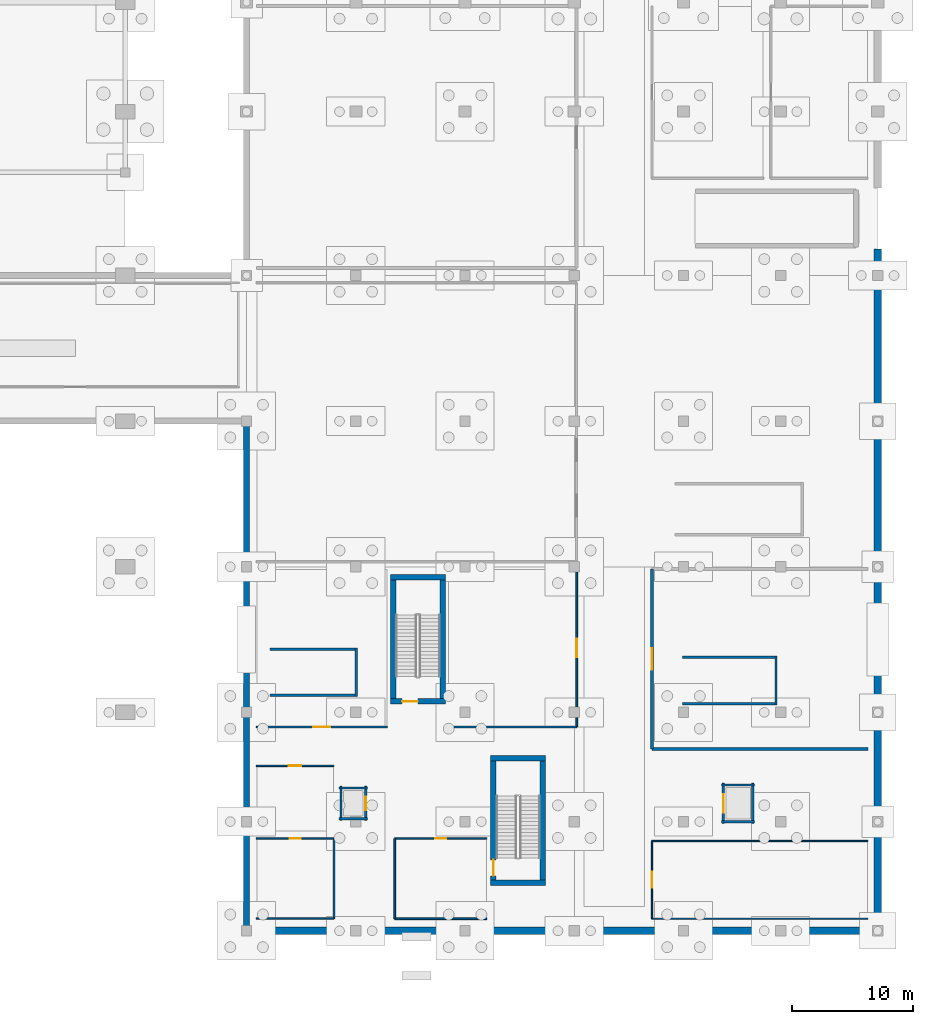
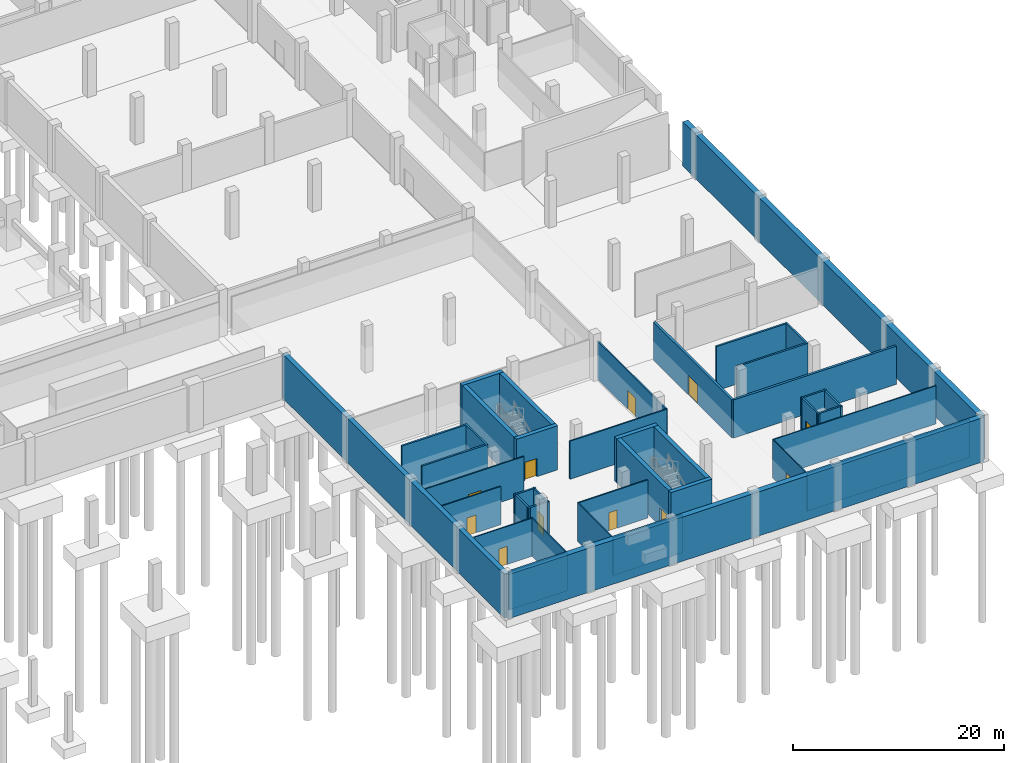
# One storey, part 14 of 26: 40 walls, 11 doors, 11 openings.
"""IFC4 building model written with IfcOpenShell, lengths in metres."""

from ifc_helpers import new_model, si_unit, direction, frame, frame_2d, origin, place, context, subcontext, project, spatial, rectangle, extrude, material, layer, layer_set, type_object, element, fill, save


model = new_model("IFC4")

# Units and contexts
model_context = context("Model", 3, precision=1e-05, world=origin(), true_north=direction((0.0, 1.0)))
body_context = subcontext(model_context, "Body", "Model", "MODEL_VIEW")
ifc_project = project(units=[si_unit("LENGTHUNIT", "METRE"), si_unit("AREAUNIT", "SQUARE_METRE"), si_unit("VOLUMEUNIT", "CUBIC_METRE"), si_unit("PLANEANGLEUNIT", "RADIAN"), si_unit("MASSUNIT", "GRAM", prefix="KILO")], contexts=[model_context])

# Site, building, storey
site_placement = place(None, origin())
site = spatial("IfcSite", under=ifc_project, at=site_placement, CompositionType="ELEMENT")
building_placement = place(site_placement, origin())
building = spatial("IfcBuilding", under=site, at=building_placement, Name="Chuanluo Vaults Station", CompositionType="ELEMENT")
storey_placement = place(building_placement, frame((0.0, 0.0, -5.39990234375)))
storey = spatial("IfcBuildingStorey", under=building, at=storey_placement, Name="B1", CompositionType="ELEMENT", Elevation=-5.39990234375)

# Walls
ifc_material_1 = material(Name="Concrete C50", Category="concrete")
ifc_layer_1 = layer(ifc_material_1, 0.449951171875)
ifc_layer_set_1 = layer_set([ifc_layer_1], Name="Concrete C50")
wall_type_1 = type_object("IfcWallType", Name="WL-COR-450", PredefinedType="SHEAR", material=ifc_layer_set_1)
for number, where, z_axis, x_axis, name in (
    (1, (152.16259765625, 18.675048828125, 0.0), (0.0, 0.0, 1.0), (0.0, 1.0, 0.0), "Core K4 left shear wall"),
    (2, (148.092529296875, 29.37255859375, 0.0), (0.0, 0.0, 1.0), (0.0, -1.0, 0.0), "Core K4 right shear wall"),
):
    element("IfcWall", number, at=place(storey_placement, frame(where, z_axis=z_axis, x_axis=x_axis)), inside=storey, type_object=wall_type_1, Name=name, PredefinedType="SHEAR", context=body_context, shape_type="SweptSolid", body=[
        extrude(rectangle(XDim=10.697509765625, YDim=0.449951171875, at=frame_2d((5.3486328125, 0.0))), origin(), (0.0, 0.0, 1.0), 5.099853515625),
    ])
wall_1_placement = place(storey_placement, frame((152.387451171875, 29.1474609375, 0.0), z_axis=(0.0, 0.0, 1.0), x_axis=(-1.0, 0.0, 0.0)))
element("IfcWall", 3, at=wall_1_placement, inside=storey, type_object=wall_type_1, Name="Core K4 far shear wall", PredefinedType="SHEAR", context=body_context, shape_type="SweptSolid", body=[
    extrude(rectangle(XDim=4.52001953125, YDim=0.449951171875, at=frame_2d((2.260009765625, 0.0))), origin(), (0.0, 0.0, 1.0), 5.099853515625),
])

# Wall, opening, door
wall_2_placement = place(storey_placement, frame((147.867431640625, 18.89990234375, 0.0), z_axis=(0.0, 0.0, 1.0), x_axis=(1.0, 0.0, 0.0)))
wall_2 = element("IfcWall", 4, at=wall_2_placement, inside=storey, type_object=wall_type_1, Name="Core K4 near shear wall", PredefinedType="SHEAR", context=body_context, shape_type="SweptSolid", body=[
    extrude(rectangle(XDim=4.52001953125, YDim=0.449951171875, at=frame_2d((2.260009765625, 0.0))), origin(), (0.0, 0.0, 1.0), 5.099853515625),
])
opening_1_placement = place(wall_2_placement, frame((0.949951171875, 0.0, 0.0)))
opening_1 = element("IfcOpeningElement", 5, at=opening_1_placement, cuts=wall_2, Name="Opening FD-05", PredefinedType="OPENING", context=body_context, shape_type="SweptSolid", body=[
    extrude(rectangle(XDim=1.300048828125, YDim=2.10009765625, at=frame_2d((0.64990234375, 1.050048828125))), frame((0.0, 0.2351, 0.0), z_axis=(0.0, -1.0, 0.0), x_axis=(1.0, 0.0, 0.0)), (0.0, 0.0, 1.0), 0.46995),
])
ifc_material_2 = material(Name="Fire-rated steel leaf", Category="steel")
door_type_1 = type_object("IfcDoorType", Name="DR-FIR-1300x2100", OperationType="NOTDEFINED", PredefinedType="DOOR", material=ifc_material_2)
door_1_placement = place(opening_1_placement, origin())
door_1 = element("IfcDoor", 6, at=door_1_placement, inside=storey, type_object=door_type_1, Name="D-079 Stair ST-04 fire door", OperationType="SINGLE_SWING_RIGHT", OverallHeight=2.10009765625, OverallWidth=1.300048828125, PredefinedType="DOOR", context=body_context, shape_type="SweptSolid", body=[
    extrude(rectangle(XDim=1.300048828125, YDim=2.10009765625, at=frame_2d((0.64990234375, 1.050048828125))), frame((0.0, 0.02490234375, 0.0), z_axis=(0.0, -1.0, 0.0), x_axis=(1.0, 0.0, 0.0)), (0.0, 0.0, 1.0), 0.050048828125),
])
fill(opening_1, door_1)

# Wall
wall_3_placement = place(storey_placement, frame((160.41259765625, 3.737548828125, 0.0), z_axis=(0.0, 0.0, 1.0), x_axis=(0.0, 1.0, 0.0)))
element("IfcWall", 7, at=wall_3_placement, inside=storey, type_object=wall_type_1, Name="Core K5 left shear wall", PredefinedType="SHEAR", context=body_context, shape_type="SweptSolid", body=[
    extrude(rectangle(XDim=10.697509765625, YDim=0.449951171875, at=frame_2d((5.3486328125, 0.0))), origin(), (0.0, 0.0, 1.0), 5.099853515625),
])

# Wall, opening, door
wall_4_placement = place(storey_placement, frame((156.342529296875, 14.43505859375, 0.0), z_axis=(0.0, 0.0, 1.0), x_axis=(0.0, -1.0, 0.0)))
wall_4 = element("IfcWall", 8, at=wall_4_placement, inside=storey, type_object=wall_type_1, Name="Core K5 right shear wall", PredefinedType="SHEAR", context=body_context, shape_type="SweptSolid", body=[
    extrude(rectangle(XDim=10.697509765625, YDim=0.449951171875, at=frame_2d((5.3486328125, 0.0))), origin(), (0.0, 0.0, 1.0), 5.099853515625),
])
opening_2_placement = place(wall_4_placement, frame((8.597412109375, 0.0, 0.0)))
opening_2 = element("IfcOpeningElement", 9, at=opening_2_placement, cuts=wall_4, Name="Opening FD-05", PredefinedType="OPENING", context=body_context, shape_type="SweptSolid", body=[
    extrude(rectangle(XDim=1.300048828125, YDim=2.10009765625, at=frame_2d((0.64990234375, 1.050048828125))), frame((0.0, 0.2351, 0.0), z_axis=(0.0, -1.0, 0.0), x_axis=(1.0, 0.0, 0.0)), (0.0, 0.0, 1.0), 0.46995),
])
door_2_placement = place(opening_2_placement, origin())
door_2 = element("IfcDoor", 10, at=door_2_placement, inside=storey, type_object=door_type_1, Name="D-084 Stair ST-05 fire door", OperationType="SINGLE_SWING_LEFT", OverallHeight=2.10009765625, OverallWidth=1.300048828125, PredefinedType="DOOR", context=body_context, shape_type="SweptSolid", body=[
    extrude(rectangle(XDim=1.300048828125, YDim=2.10009765625, at=frame_2d((0.64990234375, 1.050048828125))), frame((0.0, 0.02490234375, 0.0), z_axis=(0.0, -1.0, 0.0), x_axis=(1.0, 0.0, 0.0)), (0.0, 0.0, 1.0), 0.050048828125),
])
fill(opening_2, door_2)

# Walls
for number, where, z_axis, x_axis, name in (
    (11, (160.637451171875, 14.2099609375, 0.0), (0.0, 0.0, 1.0), (-1.0, 0.0, 0.0), "Core K5 far shear wall"),
    (12, (156.117431640625, 3.96240234375, 0.0), (0.0, 0.0, 1.0), (1.0, 0.0, 0.0), "Core K5 near shear wall"),
):
    element("IfcWall", number, at=place(storey_placement, frame(where, z_axis=z_axis, x_axis=x_axis)), inside=storey, type_object=wall_type_1, Name=name, PredefinedType="SHEAR", context=body_context, shape_type="SweptSolid", body=[
        extrude(rectangle(XDim=4.52001953125, YDim=0.449951171875, at=frame_2d((2.260009765625, 0.0))), origin(), (0.0, 0.0, 1.0), 5.099853515625),
    ])
ifc_material_3 = material(Name="Concrete C40", Category="concrete")
ifc_layer_2 = layer(ifc_material_3, 0.25)
ifc_layer_set_2 = layer_set([ifc_layer_2], Name="Concrete C40")
wall_type_2 = type_object("IfcWallType", Name="WL-FIR-250", PredefinedType="SOLIDWALL", material=ifc_layer_set_2)
wall_5_placement = place(storey_placement, frame((187.199951171875, 15.0, 0.0), z_axis=(0.0, 0.0, 1.0), x_axis=(-1.0, 0.0, 0.0)))
element("IfcWall", 13, at=wall_5_placement, inside=storey, type_object=wall_type_2, Name="B1-12 Emergency Diesel Generator Hall S partition", PredefinedType="SOLIDWALL", context=body_context, shape_type="SweptSolid", body=[
    extrude(rectangle(XDim=17.800048828125, YDim=0.25, at=frame_2d((8.89990234375, 0.0))), origin(), (0.0, 0.0, 1.0), 4.39990234375),
])

# Wall, opening, door
wall_6_placement = place(storey_placement, frame((169.39990234375, 15.0, 0.0), z_axis=(0.0, 0.0, 1.0), x_axis=(0.0, 1.0, 0.0)))
wall_6 = element("IfcWall", 14, at=wall_6_placement, inside=storey, type_object=wall_type_2, Name="B1-12 Emergency Diesel Generator Hall W partition", PredefinedType="SOLIDWALL", context=body_context, shape_type="SweptSolid", body=[
    extrude(rectangle(XDim=14.800048828125, YDim=0.25, at=frame_2d((7.39990234375, 0.0))), origin(), (0.0, 0.0, 1.0), 4.39990234375),
])
opening_3_placement = place(wall_6_placement, frame((6.5, 0.0, 0.0)))
opening_3 = element("IfcOpeningElement", 15, at=opening_3_placement, cuts=wall_6, Name="Opening FD-01", PredefinedType="OPENING", context=body_context, shape_type="SweptSolid", body=[
    extrude(rectangle(XDim=1.800048828125, YDim=2.199951171875, at=frame_2d((0.89990234375, 1.10009765625))), frame((0.0, 0.135, 0.0), z_axis=(0.0, -1.0, 0.0), x_axis=(1.0, 0.0, 0.0)), (0.0, 0.0, 1.0), 0.27),
])
ifc_material_4 = material(Name="Fire-rated steel leaf", Category="steel")
door_type_2 = type_object("IfcDoorType", Name="DR-FIR-1800x2200", OperationType="NOTDEFINED", PredefinedType="DOOR", material=ifc_material_4)
door_3_placement = place(opening_3_placement, origin())
door_3 = element("IfcDoor", 16, at=door_3_placement, inside=storey, type_object=door_type_2, Name="D-140 Emergency Diesel Generator Hall door", OperationType="SINGLE_SWING_LEFT", OverallHeight=2.199951171875, OverallWidth=1.800048828125, PredefinedType="DOOR", context=body_context, shape_type="SweptSolid", body=[
    extrude(rectangle(XDim=1.800048828125, YDim=2.199951171875, at=frame_2d((0.89990234375, 1.10009765625))), frame((0.0, 0.02490234375, 0.0), z_axis=(0.0, -1.0, 0.0), x_axis=(1.0, 0.0, 0.0)), (0.0, 0.0, 1.0), 0.050048828125),
])
fill(opening_3, door_3)

# Walls
ifc_material_5 = material(Name="Masonry blockwork M10", Category="masonry")
ifc_layer_3 = layer(ifc_material_5, 0.110107421875)
ifc_layer_set_3 = layer_set([ifc_layer_3], Name="Masonry blockwork M10")
wall_type_3 = type_object("IfcWallType", Name="WL-PRT-110", PredefinedType="PARTITIONING", material=ifc_layer_set_3)
for number, where, z_axis, x_axis, name in (
    (17, (187.199951171875, 1.0, 0.0), (0.0, 0.0, 1.0), (-1.0, 0.0, 0.0), "B1-18B Station Maintenance Equipment Store S partition"),
    (18, (169.39990234375, 7.39990234375, 0.0), (0.0, 0.0, 1.0), (1.0, 0.0, 0.0), "B1-18B Station Maintenance Equipment Store N partition"),
):
    element("IfcWall", number, at=place(storey_placement, frame(where, z_axis=z_axis, x_axis=x_axis)), inside=storey, type_object=wall_type_3, Name=name, PredefinedType="PARTITIONING", context=body_context, shape_type="SweptSolid", body=[
        extrude(rectangle(XDim=17.800048828125, YDim=0.110107421875, at=frame_2d((8.89990234375, 0.0))), origin(), (0.0, 0.0, 1.0), 4.39990234375),
    ])

# Wall, opening, door
wall_7_placement = place(storey_placement, frame((169.39990234375, 1.0, 0.0), z_axis=(0.0, 0.0, 1.0), x_axis=(0.0, 1.0, 0.0)))
wall_7 = element("IfcWall", 19, at=wall_7_placement, inside=storey, type_object=wall_type_3, Name="B1-18B Station Maintenance Equipment Store W partition", PredefinedType="PARTITIONING", context=body_context, shape_type="SweptSolid", body=[
    extrude(rectangle(XDim=6.39990234375, YDim=0.110107421875, at=frame_2d((3.199951171875, 0.0))), origin(), (0.0, 0.0, 1.0), 4.39990234375),
])
opening_4_placement = place(wall_7_placement, frame((2.550048828125, 0.0, 0.0)))
opening_4 = element("IfcOpeningElement", 20, at=opening_4_placement, cuts=wall_7, Name="Opening FD-05", PredefinedType="OPENING", context=body_context, shape_type="SweptSolid", body=[
    extrude(rectangle(XDim=1.300048828125, YDim=2.10009765625, at=frame_2d((0.64990234375, 1.050048828125))), frame((0.0, 0.06518, 0.0), z_axis=(0.0, -1.0, 0.0), x_axis=(1.0, 0.0, 0.0)), (0.0, 0.0, 1.0), 0.13011),
])
door_4_placement = place(opening_4_placement, origin())
door_4 = element("IfcDoor", 21, at=door_4_placement, inside=storey, type_object=door_type_1, Name="D-146 Station Maintenance Equipment Store door", OperationType="SINGLE_SWING_LEFT", OverallHeight=2.10009765625, OverallWidth=1.300048828125, PredefinedType="DOOR", context=body_context, shape_type="SweptSolid", body=[
    extrude(rectangle(XDim=1.300048828125, YDim=2.10009765625, at=frame_2d((0.64990234375, 1.050048828125))), frame((0.0, 0.02490234375, 0.0), z_axis=(0.0, -1.0, 0.0), x_axis=(1.0, 0.0, 0.0)), (0.0, 0.0, 1.0), 0.050048828125),
])
fill(opening_4, door_4)

ifc_material_6 = material(Name="Masonry blockwork M10", Category="masonry")
ifc_layer_4 = layer(ifc_material_6, 0.1201171875)
ifc_layer_set_4 = layer_set([ifc_layer_4], Name="Masonry blockwork M10")
wall_type_4 = type_object("IfcWallType", Name="WL-PRT-120", PredefinedType="PARTITIONING", material=ifc_layer_set_4)
wall_8_placement = place(storey_placement, frame((136.800048828125, 13.60009765625, 0.0), z_axis=(0.0, 0.0, 1.0), x_axis=(1.0, 0.0, 0.0)))
wall_8 = element("IfcWall", 22, at=wall_8_placement, inside=storey, type_object=wall_type_4, Name="B1-18 Basement Accessible WC N partition", PredefinedType="PARTITIONING", context=body_context, shape_type="SweptSolid", body=[
    extrude(rectangle(XDim=6.39990234375, YDim=0.1201171875, at=frame_2d((3.199951171875, 0.0))), origin(), (0.0, 0.0, 1.0), 4.39990234375),
])
opening_5_placement = place(wall_8_placement, frame((2.68994140625, 0.0, 0.0)))
opening_5 = element("IfcOpeningElement", 23, at=opening_5_placement, cuts=wall_8, Name="Opening D-WC2", PredefinedType="OPENING", context=body_context, shape_type="SweptSolid", body=[
    extrude(rectangle(XDim=1.02001953125, YDim=2.050048828125, at=frame_2d((0.510009765625, 1.02490234375))), frame((0.0, 0.07006, 0.0), z_axis=(0.0, -1.0, 0.0), x_axis=(1.0, 0.0, 0.0)), (0.0, 0.0, 1.0), 0.14012),
])
ifc_material_7 = material(Name="Anodised aluminium 6063-T6", Category="aluminium")
door_type_3 = type_object("IfcDoorType", Name="DR-AWC-1020x2050", OperationType="NOTDEFINED", PredefinedType="DOOR", material=ifc_material_7)
door_5_placement = place(opening_5_placement, origin())
door_5 = element("IfcDoor", 24, at=door_5_placement, inside=storey, type_object=door_type_3, Name="D-145 Basement Accessible WC door", OperationType="SINGLE_SWING_RIGHT", OverallHeight=2.050048828125, OverallWidth=1.02001953125, PredefinedType="DOOR", context=body_context, shape_type="SweptSolid", body=[
    extrude(rectangle(XDim=1.02001953125, YDim=2.050048828125, at=frame_2d((0.510009765625, 1.02490234375))), frame((0.0, 0.02490234375, 0.0), z_axis=(0.0, -1.0, 0.0), x_axis=(1.0, 0.0, 0.0)), (0.0, 0.0, 1.0), 0.050048828125),
])
fill(opening_5, door_5)

# Wall
ifc_material_8 = material(Name="Masonry blockwork M10", Category="masonry")
ifc_layer_5 = layer(ifc_material_8, 0.1298828125)
ifc_layer_set_5 = layer_set([ifc_layer_5], Name="Masonry blockwork M10")
wall_type_5 = type_object("IfcWallType", Name="WL-PRT-130", PredefinedType="PARTITIONING", material=ifc_layer_set_5)
wall_9_placement = place(storey_placement, frame((143.199951171875, 1.0, 0.0), z_axis=(0.0, 0.0, 1.0), x_axis=(-1.0, 0.0, 0.0)))
element("IfcWall", 25, at=wall_9_placement, inside=storey, type_object=wall_type_5, Name="B1-17 Basement Female Toilet S partition", PredefinedType="PARTITIONING", context=body_context, shape_type="SweptSolid", body=[
    extrude(rectangle(XDim=6.39990234375, YDim=0.1298828125, at=frame_2d((3.199951171875, 0.0))), origin(), (0.0, 0.0, 1.0), 4.39990234375),
])

# Wall, opening, door
wall_10_placement = place(storey_placement, frame((136.800048828125, 7.60009765625, 0.0), z_axis=(0.0, 0.0, 1.0), x_axis=(1.0, 0.0, 0.0)))
wall_10 = element("IfcWall", 26, at=wall_10_placement, inside=storey, type_object=wall_type_5, Name="B1-17 Basement Female Toilet N partition", PredefinedType="PARTITIONING", context=body_context, shape_type="SweptSolid", body=[
    extrude(rectangle(XDim=6.39990234375, YDim=0.1298828125, at=frame_2d((3.199951171875, 0.0))), origin(), (0.0, 0.0, 1.0), 4.39990234375),
])
opening_6_placement = place(wall_10_placement, frame((2.75, 0.0, 0.0)))
opening_6 = element("IfcOpeningElement", 27, at=opening_6_placement, cuts=wall_10, Name="Opening D-WC1", PredefinedType="OPENING", context=body_context, shape_type="SweptSolid", body=[
    extrude(rectangle(XDim=0.89990234375, YDim=2.10009765625, at=frame_2d((0.449951171875, 1.050048828125))), frame((0.0, 0.07494, 0.0), z_axis=(0.0, -1.0, 0.0), x_axis=(1.0, 0.0, 0.0)), (0.0, 0.0, 1.0), 0.14988),
])
ifc_material_9 = material(Name="Anodised aluminium 6063-T6", Category="aluminium")
door_type_4 = type_object("IfcDoorType", Name="DR-WC-0900x2100", OperationType="NOTDEFINED", PredefinedType="DOOR", material=ifc_material_9)
door_6_placement = place(opening_6_placement, origin())
door_6 = element("IfcDoor", 28, at=door_6_placement, inside=storey, type_object=door_type_4, Name="D-144 Basement Female Toilet door", OperationType="SINGLE_SWING_LEFT", OverallHeight=2.10009765625, OverallWidth=0.89990234375, PredefinedType="DOOR", context=body_context, shape_type="SweptSolid", body=[
    extrude(rectangle(XDim=0.89990234375, YDim=2.10009765625, at=frame_2d((0.449951171875, 1.050048828125))), frame((0.0, 0.02490234375, 0.0), z_axis=(0.0, -1.0, 0.0), x_axis=(1.0, 0.0, 0.0)), (0.0, 0.0, 1.0), 0.050048828125),
])
fill(opening_6, door_6)

# Wall
wall_11_placement = place(storey_placement, frame((143.199951171875, 7.60009765625, 0.0), z_axis=(0.0, 0.0, 1.0), x_axis=(0.0, -1.0, 0.0)))
element("IfcWall", 29, at=wall_11_placement, inside=storey, type_object=wall_type_5, Name="B1-17 Basement Female Toilet E partition", PredefinedType="PARTITIONING", context=body_context, shape_type="SweptSolid", body=[
    extrude(rectangle(XDim=6.60009765625, YDim=0.1298828125, at=frame_2d((3.300048828125, 0.0))), origin(), (0.0, 0.0, 1.0), 4.39990234375),
])

# Wall, opening, door
ifc_material_10 = material(Name="Autoclaved aerated concrete blockwork MU10", Category="masonry")
ifc_layer_6 = layer(ifc_material_10, 0.139892578125)
ifc_layer_set_6 = layer_set([ifc_layer_6], Name="Autoclaved aerated concrete blockwork MU10")
wall_type_6 = type_object("IfcWallType", Name="WL-PRT-140", PredefinedType="PARTITIONING", material=ifc_layer_set_6)
wall_12_placement = place(storey_placement, frame((147.60009765625, 16.800048828125, 0.0), z_axis=(0.0, 0.0, 1.0), x_axis=(-1.0, 0.0, 0.0)))
wall_12 = element("IfcWall", 30, at=wall_12_placement, inside=storey, type_object=wall_type_6, Name="B1-07B West Baggage Container Store S partition", PredefinedType="PARTITIONING", context=body_context, shape_type="SweptSolid", body=[
    extrude(rectangle(XDim=10.800048828125, YDim=0.139892578125, at=frame_2d((5.39990234375, 0.0))), origin(), (0.0, 0.0, 1.0), 4.39990234375),
])
opening_7_placement = place(wall_12_placement, frame((4.699951171875, 0.0, 0.0)))
opening_7 = element("IfcOpeningElement", 31, at=opening_7_placement, cuts=wall_12, Name="Opening FD-04", PredefinedType="OPENING", context=body_context, shape_type="SweptSolid", body=[
    extrude(rectangle(XDim=1.39990234375, YDim=2.10009765625, at=frame_2d((0.699951171875, 1.050048828125))), frame((0.0, 0.07982, 0.0), z_axis=(0.0, -1.0, 0.0), x_axis=(1.0, 0.0, 0.0)), (0.0, 0.0, 1.0), 0.15989),
])
ifc_material_11 = material(Name="Fire-rated steel leaf", Category="steel")
door_type_5 = type_object("IfcDoorType", Name="DR-FIR-1400x2100", OperationType="NOTDEFINED", PredefinedType="DOOR", material=ifc_material_11)
door_7_placement = place(opening_7_placement, origin())
door_7 = element("IfcDoor", 32, at=door_7_placement, inside=storey, type_object=door_type_5, Name="D-136 West Baggage Container Store door", OperationType="SINGLE_SWING_LEFT", OverallHeight=2.10009765625, OverallWidth=1.39990234375, PredefinedType="DOOR", context=body_context, shape_type="SweptSolid", body=[
    extrude(rectangle(XDim=1.39990234375, YDim=2.10009765625, at=frame_2d((0.699951171875, 1.050048828125))), frame((0.0, 0.02490234375, 0.0), z_axis=(0.0, -1.0, 0.0), x_axis=(1.0, 0.0, 0.0)), (0.0, 0.0, 1.0), 0.050048828125),
])
fill(opening_7, door_7)

# Wall
wall_13_placement = place(storey_placement, frame((155.800048828125, 1.0, 0.0), z_axis=(0.0, 0.0, 1.0), x_axis=(-1.0, 0.0, 0.0)))
element("IfcWall", 33, at=wall_13_placement, inside=storey, type_object=wall_type_6, Name="B1-16 Basement Male Toilet S partition", PredefinedType="PARTITIONING", context=body_context, shape_type="SweptSolid", body=[
    extrude(rectangle(XDim=7.60009765625, YDim=0.139892578125, at=frame_2d((3.800048828125, 0.0))), origin(), (0.0, 0.0, 1.0), 4.39990234375),
])

# Wall, opening, door
wall_14_placement = place(storey_placement, frame((148.199951171875, 7.60009765625, 0.0), z_axis=(0.0, 0.0, 1.0), x_axis=(1.0, 0.0, 0.0)))
wall_14 = element("IfcWall", 34, at=wall_14_placement, inside=storey, type_object=wall_type_6, Name="B1-16 Basement Male Toilet N partition", PredefinedType="PARTITIONING", context=body_context, shape_type="SweptSolid", body=[
    extrude(rectangle(XDim=7.60009765625, YDim=0.139892578125, at=frame_2d((3.800048828125, 0.0))), origin(), (0.0, 0.0, 1.0), 4.39990234375),
])
opening_8_placement = place(wall_14_placement, frame((3.35009765625, 0.0, 0.0)))
opening_8 = element("IfcOpeningElement", 35, at=opening_8_placement, cuts=wall_14, Name="Opening D-WC1", PredefinedType="OPENING", context=body_context, shape_type="SweptSolid", body=[
    extrude(rectangle(XDim=0.89990234375, YDim=2.10009765625, at=frame_2d((0.449951171875, 1.050048828125))), frame((0.0, 0.07982, 0.0), z_axis=(0.0, -1.0, 0.0), x_axis=(1.0, 0.0, 0.0)), (0.0, 0.0, 1.0), 0.15989),
])
door_8_placement = place(opening_8_placement, origin())
door_8 = element("IfcDoor", 36, at=door_8_placement, inside=storey, type_object=door_type_4, Name="D-143 Basement Male Toilet door", OperationType="SINGLE_SWING_RIGHT", OverallHeight=2.10009765625, OverallWidth=0.89990234375, PredefinedType="DOOR", context=body_context, shape_type="SweptSolid", body=[
    extrude(rectangle(XDim=0.89990234375, YDim=2.10009765625, at=frame_2d((0.449951171875, 1.050048828125))), frame((0.0, 0.02490234375, 0.0), z_axis=(0.0, -1.0, 0.0), x_axis=(1.0, 0.0, 0.0)), (0.0, 0.0, 1.0), 0.050048828125),
])
fill(opening_8, door_8)

# Walls
wall_15_placement = place(storey_placement, frame((148.199951171875, 1.0, 0.0), z_axis=(0.0, 0.0, 1.0), x_axis=(0.0, 1.0, 0.0)))
element("IfcWall", 37, at=wall_15_placement, inside=storey, type_object=wall_type_6, Name="B1-16 Basement Male Toilet W partition", PredefinedType="PARTITIONING", context=body_context, shape_type="SweptSolid", body=[
    extrude(rectangle(XDim=6.60009765625, YDim=0.139892578125, at=frame_2d((3.300048828125, 0.0))), origin(), (0.0, 0.0, 1.0), 4.39990234375),
])
ifc_material_12 = material(Name="Autoclaved aerated concrete blockwork MU10", Category="masonry")
ifc_layer_7 = layer(ifc_material_12, 0.14990234375)
ifc_layer_set_7 = layer_set([ifc_layer_7], Name="Autoclaved aerated concrete blockwork MU10")
wall_type_7 = type_object("IfcWallType", Name="WL-PRT-150", PredefinedType="PARTITIONING", material=ifc_layer_set_7)
wall_16_placement = place(storey_placement, frame((163.199951171875, 16.800048828125, 0.0), z_axis=(0.0, 0.0, 1.0), x_axis=(-1.0, 0.0, 0.0)))
element("IfcWall", 38, at=wall_16_placement, inside=storey, type_object=wall_type_7, Name="B1-07 Parcel Security Screening Room S partition", PredefinedType="PARTITIONING", context=body_context, shape_type="SweptSolid", body=[
    extrude(rectangle(XDim=10.599853515625, YDim=0.14990234375, at=frame_2d((5.2998046875, 0.0))), origin(), (0.0, 0.0, 1.0), 4.39990234375),
])

# Wall, opening, door
wall_17_placement = place(storey_placement, frame((163.199951171875, 29.800048828125, 0.0), z_axis=(0.0, 0.0, 1.0), x_axis=(0.0, -1.0, 0.0)))
wall_17 = element("IfcWall", 39, at=wall_17_placement, inside=storey, type_object=wall_type_7, Name="B1-07 Parcel Security Screening Room E partition", PredefinedType="PARTITIONING", context=body_context, shape_type="SweptSolid", body=[
    extrude(rectangle(XDim=13.0, YDim=0.14990234375, at=frame_2d((6.5, 0.0))), origin(), (0.0, 0.0, 1.0), 4.39990234375),
])
opening_9_placement = place(wall_17_placement, frame((5.75, 0.0, 0.0)))
opening_9 = element("IfcOpeningElement", 40, at=opening_9_placement, cuts=wall_17, Name="Opening FD-03", PredefinedType="OPENING", context=body_context, shape_type="SweptSolid", body=[
    extrude(rectangle(XDim=1.5, YDim=2.14990234375, at=frame_2d((0.75, 1.074951171875))), frame((0.0, 0.08495, 0.0), z_axis=(0.0, -1.0, 0.0), x_axis=(1.0, 0.0, 0.0)), (0.0, 0.0, 1.0), 0.1699),
])
ifc_material_13 = material(Name="Fire-rated steel leaf", Category="steel")
door_type_6 = type_object("IfcDoorType", Name="DR-FIR-1500x2150", OperationType="NOTDEFINED", PredefinedType="DOOR", material=ifc_material_13)
door_9_placement = place(opening_9_placement, origin())
door_9 = element("IfcDoor", 41, at=door_9_placement, inside=storey, type_object=door_type_6, Name="D-135 Parcel Security Screening Room door", OperationType="SINGLE_SWING_RIGHT", OverallHeight=2.14990234375, OverallWidth=1.5, PredefinedType="DOOR", context=body_context, shape_type="SweptSolid", body=[
    extrude(rectangle(XDim=1.5, YDim=2.14990234375, at=frame_2d((0.75, 1.074951171875))), frame((0.0, 0.02490234375, 0.0), z_axis=(0.0, -1.0, 0.0), x_axis=(1.0, 0.0, 0.0)), (0.0, 0.0, 1.0), 0.050048828125),
])
fill(opening_9, door_9)

# Walls
ifc_material_14 = material(Name="Concrete C40", Category="concrete")
ifc_layer_8 = layer(ifc_material_14, 0.5)
ifc_layer_set_8 = layer_set([ifc_layer_8], Name="Concrete C40")
wall_type_8 = type_object("IfcWallType", Name="WL-RET-500", PredefinedType="USERDEFINED", material=ifc_layer_set_8)
wall_18_placement = place(storey_placement, frame((136.0, 42.0, 0.0), z_axis=(0.0, 0.0, 1.0), x_axis=(0.0, -1.0, 0.0)))
element("IfcWall", 42, at=wall_18_placement, inside=storey, type_object=wall_type_8, Name="Basement perimeter retaining wall 06", ObjectType="RETAININGWALL", PredefinedType="USERDEFINED", context=body_context, shape_type="SweptSolid", body=[
    extrude(rectangle(XDim=42.0, YDim=0.5, at=frame_2d((21.0, 0.0))), origin(), (0.0, 0.0, 1.0), 5.099853515625),
])
ifc_material_15 = material(Name="Concrete C40", Category="concrete")
ifc_layer_9 = layer(ifc_material_15, 0.60009765625)
ifc_layer_set_9 = layer_set([ifc_layer_9], Name="Concrete C40")
wall_type_9 = type_object("IfcWallType", Name="WL-RET-600", PredefinedType="USERDEFINED", material=ifc_layer_set_9)
wall_19_placement = place(storey_placement, frame((136.0, 0.0, 0.0), z_axis=(0.0, 0.0, 1.0), x_axis=(1.0, 0.0, 0.0)))
element("IfcWall", 43, at=wall_19_placement, inside=storey, type_object=wall_type_9, Name="Basement perimeter retaining wall 01", ObjectType="RETAININGWALL", PredefinedType="USERDEFINED", context=body_context, shape_type="SweptSolid", body=[
    extrude(rectangle(XDim=52.0, YDim=0.60009765625, at=frame_2d((26.0, 0.0))), origin(), (0.0, 0.0, 1.0), 5.099853515625),
])
wall_20_placement = place(storey_placement, frame((188.0, 0.0, 0.0), z_axis=(0.0, 0.0, 1.0), x_axis=(0.0, 1.0, 0.0)))
element("IfcWall", 44, at=wall_20_placement, inside=storey, type_object=wall_type_9, Name="Basement perimeter retaining wall 02", ObjectType="RETAININGWALL", PredefinedType="USERDEFINED", context=body_context, shape_type="SweptSolid", body=[
    extrude(rectangle(XDim=56.199951171875, YDim=0.60009765625, at=frame_2d((28.10009765625, 0.0))), origin(), (0.0, 0.0, 1.0), 5.099853515625),
])
ifc_material_16 = material(Name="Concrete C40", Category="concrete")
ifc_layer_10 = layer(ifc_material_16, 0.199951171875)
ifc_layer_set_10 = layer_set([ifc_layer_10], Name="Concrete C40")
wall_type_10 = type_object("IfcWallType", Name="WL-SHF-200", PredefinedType="SOLIDWALL", material=ifc_layer_set_10)
for number, where, z_axis, x_axis, name in (
    (45, (171.925048828125, 18.71240234375, 0.0), (0.0, 0.0, 1.0), (1.0, 0.0, 0.0), "Stair ST-27 south shaft wall B1"),
    (46, (179.722412109375, 22.532470703125, 0.0), (0.0, 0.0, 1.0), (-1.0, 0.0, 0.0), "Stair ST-27 north shaft wall B1"),
):
    element("IfcWall", number, at=place(storey_placement, frame(where, z_axis=z_axis, x_axis=x_axis)), inside=storey, type_object=wall_type_10, Name=name, PredefinedType="SOLIDWALL", context=body_context, shape_type="SweptSolid", body=[
        extrude(rectangle(XDim=7.79736328125, YDim=0.199951171875, at=frame_2d((3.898681640625, 0.0))), origin(), (0.0, 0.0, 1.0), 5.099853515625),
    ])
wall_21_placement = place(storey_placement, frame((179.62255859375, 18.612548828125, 0.0), z_axis=(0.0, 0.0, 1.0), x_axis=(0.0, 1.0, 0.0)))
element("IfcWall", 47, at=wall_21_placement, inside=storey, type_object=wall_type_10, Name="Stair ST-27 far shaft wall B1", PredefinedType="SOLIDWALL", context=body_context, shape_type="SweptSolid", body=[
    extrude(rectangle(XDim=4.02001953125, YDim=0.199951171875, at=frame_2d((2.010009765625, 0.0))), origin(), (0.0, 0.0, 1.0), 5.099853515625),
])
for number, where, z_axis, x_axis, name in (
    (48, (137.925048828125, 19.39990234375, 0.0), (0.0, 0.0, 1.0), (1.0, 0.0, 0.0), "Stair ST-28 south shaft wall B1"),
    (49, (145.12255859375, 23.219970703125, 0.0), (0.0, 0.0, 1.0), (-1.0, 0.0, 0.0), "Stair ST-28 north shaft wall B1"),
):
    element("IfcWall", number, at=place(storey_placement, frame(where, z_axis=z_axis, x_axis=x_axis)), inside=storey, type_object=wall_type_10, Name=name, PredefinedType="SOLIDWALL", context=body_context, shape_type="SweptSolid", body=[
        extrude(rectangle(XDim=7.197509765625, YDim=0.199951171875, at=frame_2d((3.5986328125, 0.0))), origin(), (0.0, 0.0, 1.0), 5.099853515625),
    ])
wall_22_placement = place(storey_placement, frame((145.0224609375, 19.300048828125, 0.0), z_axis=(0.0, 0.0, 1.0), x_axis=(0.0, 1.0, 0.0)))
element("IfcWall", 50, at=wall_22_placement, inside=storey, type_object=wall_type_10, Name="Stair ST-28 far shaft wall B1", PredefinedType="SOLIDWALL", context=body_context, shape_type="SweptSolid", body=[
    extrude(rectangle(XDim=4.02001953125, YDim=0.199951171875, at=frame_2d((2.010009765625, 0.0))), origin(), (0.0, 0.0, 1.0), 5.099853515625),
])
for number, where, z_axis, x_axis, name in (
    (51, (143.6298828125, 9.22998046875, 0.0), (0.0, 0.0, 1.0), (1.0, 0.0, 0.0), "Lift EL-02 shaft wall B1 -Y"),
    (52, (145.969970703125, 11.77001953125, 0.0), (0.0, 0.0, 1.0), (-1.0, 0.0, 0.0), "Lift EL-02 shaft wall B1 +Y"),
):
    element("IfcWall", number, at=place(storey_placement, frame(where, z_axis=z_axis, x_axis=x_axis)), inside=storey, type_object=wall_type_10, Name=name, PredefinedType="SOLIDWALL", context=body_context, shape_type="SweptSolid", body=[
        extrude(rectangle(XDim=2.340087890625, YDim=0.199951171875, at=frame_2d((1.169921875, 0.0))), origin(), (0.0, 0.0, 1.0), 4.39990234375),
    ])
wall_23_placement = place(storey_placement, frame((143.780029296875, 11.919921875, 0.0), z_axis=(0.0, 0.0, 1.0), x_axis=(0.0, -1.0, 0.0)))
element("IfcWall", 53, at=wall_23_placement, inside=storey, type_object=wall_type_10, Name="Lift EL-02 shaft wall B1 -X", PredefinedType="SOLIDWALL", context=body_context, shape_type="SweptSolid", body=[
    extrude(rectangle(XDim=2.83984375, YDim=0.199951171875, at=frame_2d((1.419921875, 0.0))), origin(), (0.0, 0.0, 1.0), 4.39990234375),
])

# Wall, opening, door
wall_24_placement = place(storey_placement, frame((145.820068359375, 9.080078125, 0.0), z_axis=(0.0, 0.0, 1.0), x_axis=(0.0, 1.0, 0.0)))
wall_24 = element("IfcWall", 54, at=wall_24_placement, inside=storey, type_object=wall_type_10, Name="Lift EL-02 shaft wall B1 +X", PredefinedType="SOLIDWALL", context=body_context, shape_type="SweptSolid", body=[
    extrude(rectangle(XDim=2.83984375, YDim=0.199951171875, at=frame_2d((1.419921875, 0.0))), origin(), (0.0, 0.0, 1.0), 4.39990234375),
])
opening_10_placement = place(wall_24_placement, frame((0.8701171875, 0.0, 0.0)))
opening_10 = element("IfcOpeningElement", 55, at=opening_10_placement, cuts=wall_24, Name="Opening LD-01", PredefinedType="OPENING", context=body_context, shape_type="SweptSolid", body=[
    extrude(rectangle(XDim=1.10009765625, YDim=2.14990234375, at=frame_2d((0.550048828125, 1.074951171875))), frame((0.0, 0.1101, 0.0), z_axis=(0.0, -1.0, 0.0), x_axis=(1.0, 0.0, 0.0)), (0.0, 0.0, 1.0), 0.21995),
])
ifc_material_17 = material(Name="Brushed stainless steel 304", Category="steel")
door_type_7 = type_object("IfcDoorType", Name="DR-LFT-1100x2150", OperationType="SLIDING_TO_LEFT", PredefinedType="DOOR", material=ifc_material_17)
door_10_placement = place(opening_10_placement, origin())
door_10 = element("IfcDoor", 56, at=door_10_placement, inside=storey, type_object=door_type_7, Name="LD-EL-02-01 Lift EL-02 sliding landing door B1", OperationType="SLIDING_TO_LEFT", OverallHeight=2.14990234375, OverallWidth=1.10009765625, PredefinedType="DOOR", context=body_context, shape_type="SweptSolid", body=[
    extrude(rectangle(XDim=1.10009765625, YDim=2.14990234375, at=frame_2d((0.550048828125, 1.074951171875))), frame((0.0, 0.02490234375, 0.0), z_axis=(0.0, -1.0, 0.0), x_axis=(1.0, 0.0, 0.0)), (0.0, 0.0, 1.0), 0.050048828125),
])
fill(opening_10, door_10)

# Walls
for number, where, z_axis, x_axis, name in (
    (57, (175.1298828125, 8.97998046875, 0.0), (0.0, 0.0, 1.0), (1.0, 0.0, 0.0), "Lift GL-01 shaft wall B1 -Y"),
    (58, (177.8701171875, 12.02001953125, 0.0), (0.0, 0.0, 1.0), (-1.0, 0.0, 0.0), "Lift GL-01 shaft wall B1 +Y"),
):
    element("IfcWall", number, at=place(storey_placement, frame(where, z_axis=z_axis, x_axis=x_axis)), inside=storey, type_object=wall_type_10, Name=name, PredefinedType="SOLIDWALL", context=body_context, shape_type="SweptSolid", body=[
        extrude(rectangle(XDim=2.740234375, YDim=0.199951171875, at=frame_2d((1.3701171875, 0.0))), origin(), (0.0, 0.0, 1.0), 4.39990234375),
    ])

# Wall, opening, door
wall_25_placement = place(storey_placement, frame((175.280029296875, 12.169921875, 0.0), z_axis=(0.0, 0.0, 1.0), x_axis=(0.0, -1.0, 0.0)))
wall_25 = element("IfcWall", 59, at=wall_25_placement, inside=storey, type_object=wall_type_10, Name="Lift GL-01 shaft wall B1 -X", PredefinedType="SOLIDWALL", context=body_context, shape_type="SweptSolid", body=[
    extrude(rectangle(XDim=3.33984375, YDim=0.199951171875, at=frame_2d((1.669921875, 0.0))), origin(), (0.0, 0.0, 1.0), 4.39990234375),
])
opening_11_placement = place(wall_25_placement, frame((0.919921875, 0.0, 0.0)))
opening_11 = element("IfcOpeningElement", 60, at=opening_11_placement, cuts=wall_25, Name="Opening LD-03", PredefinedType="OPENING", context=body_context, shape_type="SweptSolid", body=[
    extrude(rectangle(XDim=1.5, YDim=2.199951171875, at=frame_2d((0.75, 1.10009765625))), frame((0.0, 0.1101, 0.0), z_axis=(0.0, -1.0, 0.0), x_axis=(1.0, 0.0, 0.0)), (0.0, 0.0, 1.0), 0.21995),
])
ifc_material_18 = material(Name="Brushed stainless steel 304", Category="steel")
door_type_8 = type_object("IfcDoorType", Name="DR-LFT-1500x2200", OperationType="SLIDING_TO_LEFT", PredefinedType="DOOR", material=ifc_material_18)
door_11_placement = place(opening_11_placement, origin())
door_11 = element("IfcDoor", 61, at=door_11_placement, inside=storey, type_object=door_type_8, Name="LD-GL-01-01 Lift GL-01 sliding landing door B1", OperationType="SLIDING_TO_LEFT", OverallHeight=2.199951171875, OverallWidth=1.5, PredefinedType="DOOR", context=body_context, shape_type="SweptSolid", body=[
    extrude(rectangle(XDim=1.5, YDim=2.199951171875, at=frame_2d((0.75, 1.10009765625))), frame((0.0, 0.02490234375, 0.0), z_axis=(0.0, -1.0, 0.0), x_axis=(1.0, 0.0, 0.0)), (0.0, 0.0, 1.0), 0.050048828125),
])
fill(opening_11, door_11)

# Wall
wall_26_placement = place(storey_placement, frame((177.719970703125, 8.830078125, 0.0), z_axis=(0.0, 0.0, 1.0), x_axis=(0.0, 1.0, 0.0)))
element("IfcWall", 62, at=wall_26_placement, inside=storey, type_object=wall_type_10, Name="Lift GL-01 shaft wall B1 +X", PredefinedType="SOLIDWALL", context=body_context, shape_type="SweptSolid", body=[
    extrude(rectangle(XDim=3.33984375, YDim=0.199951171875, at=frame_2d((1.669921875, 0.0))), origin(), (0.0, 0.0, 1.0), 4.39990234375),
])

save(model, "model.ifc")
